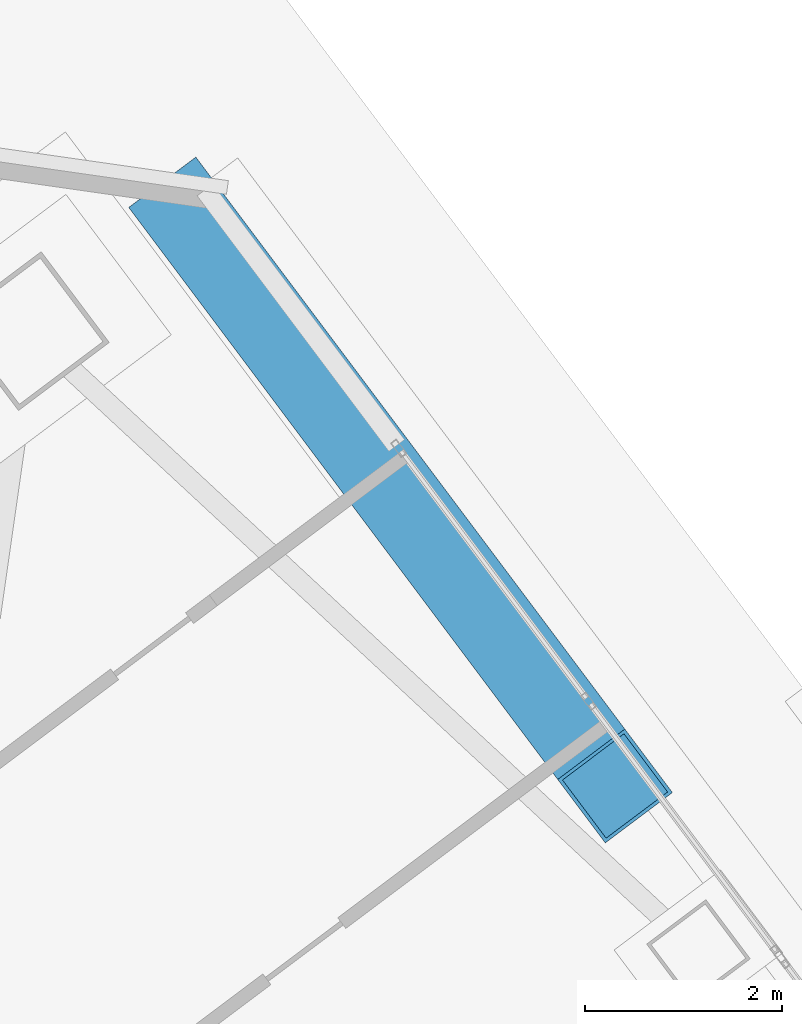
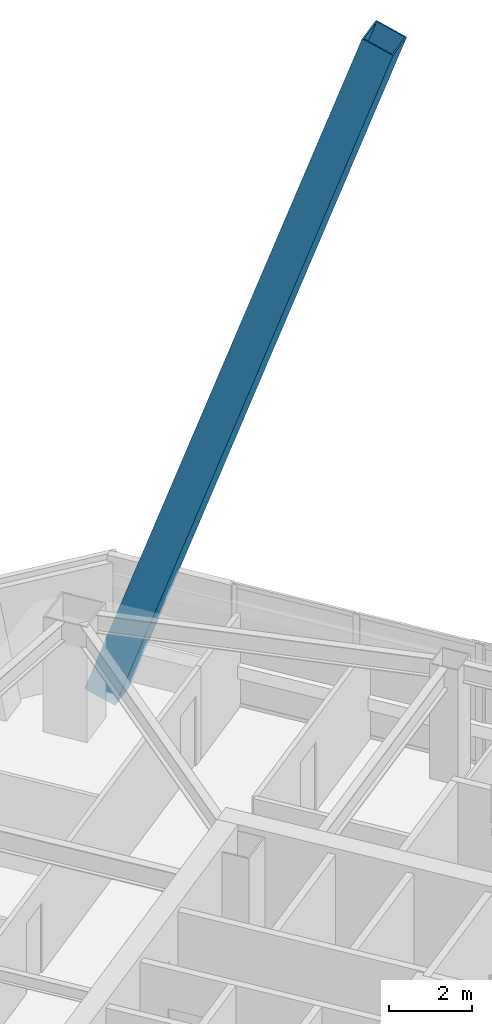
# One storey, part 51 of 65: 1 member.
"""IFC4 building model written with IfcOpenShell, lengths in metres."""

from ifc_helpers import new_model, si_unit, direction, frame, origin, origin_2d, place, context, subcontext, project, spatial, hollow_rectangle, extrude, material, material_profile, profile_set, type_object, element, save


model = new_model("IFC4")

# Units and contexts
model_context = context("Model", 3, precision=1e-05, world=origin(), true_north=direction((0.0, 1.0)))
body_context = subcontext(model_context, "Body", "Model", "MODEL_VIEW")
ifc_project = project(units=[si_unit("LENGTHUNIT", "METRE"), si_unit("AREAUNIT", "SQUARE_METRE"), si_unit("VOLUMEUNIT", "CUBIC_METRE"), si_unit("PLANEANGLEUNIT", "RADIAN"), si_unit("MASSUNIT", "GRAM", prefix="KILO")], contexts=[model_context])

# Site, building, storey
site_placement = place(None, origin())
site = spatial("IfcSite", under=ifc_project, at=site_placement, CompositionType="ELEMENT")
building_placement = place(site_placement, origin())
building = spatial("IfcBuilding", under=site, at=building_placement, Name="Tashvorn Skyway Center", CompositionType="ELEMENT")
storey_placement = place(building_placement, frame((0.0, 0.0, 157.0)))
storey = spatial("IfcBuildingStorey", under=building, at=storey_placement, Name="L42", CompositionType="ELEMENT", Elevation=157.0)

# Member
ifc_material = material(Name="Steel ASTM A572 Grade 50", Category="steel")
ifc_material_profile = material_profile(ifc_material, hollow_rectangle(XDim=0.85009765625, YDim=0.85009765625, WallThickness=0.034912109375, at=origin_2d()), Name="BOX850x850x35")
ifc_profile_set = profile_set([ifc_material_profile], Name="Steel ASTM A572 Grade 50")
member_type = type_object("IfcMemberType", Name="MEM-MB-850", PredefinedType="BRACE", material=ifc_profile_set)
member_placement = place(storey_placement, frame((118.48388671875, 53.488037109375, -0.199951171875), z_axis=(0.195390461632, -0.260516960209, 0.945491132135), x_axis=(0.799995959088, 0.600005387845, 0.0)))
element("IfcMember", 1, at=member_placement, inside=storey, type_object=member_type, Name="Tower 2 Zone 4 E Chevron Mega-Brace R1", PredefinedType="BRACE", context=body_context, shape_type="SweptSolid", body=[
    extrude(hollow_rectangle(XDim=0.85009765625, YDim=0.85009765625, WallThickness=0.034912109375, at=origin_2d()), origin(), (0.0, 0.0, 1.0), 22.263671875),
])

save(model, "model.ifc")
